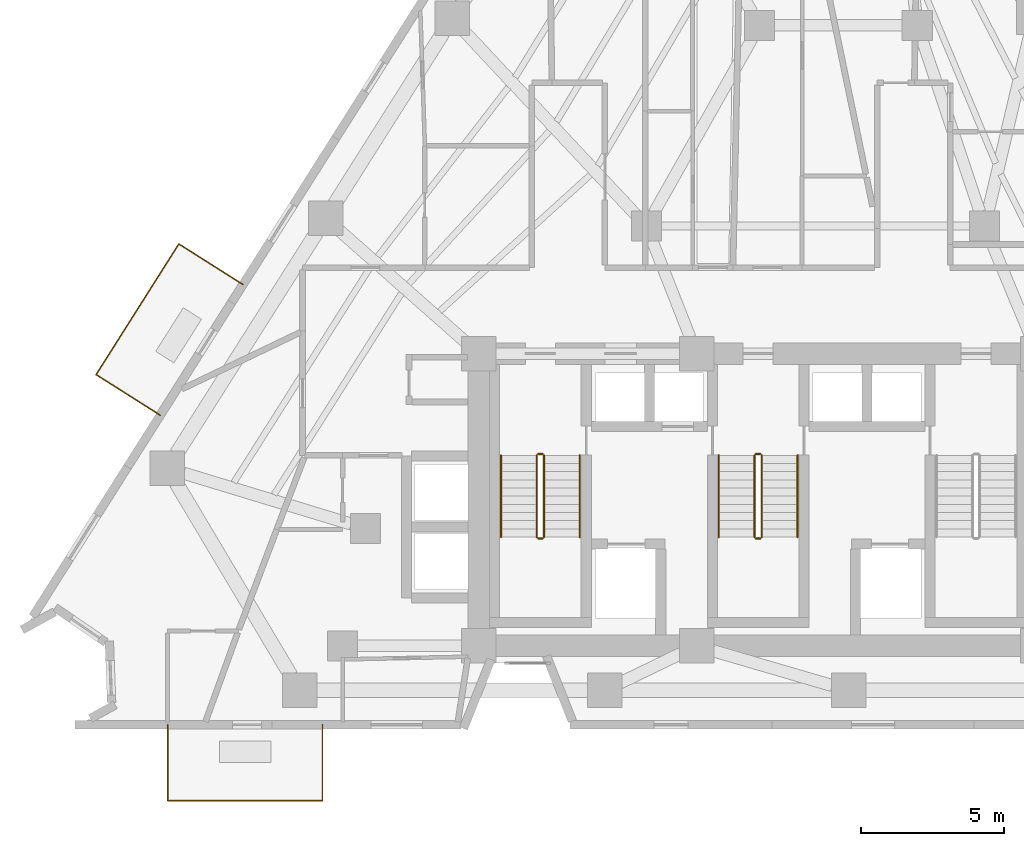
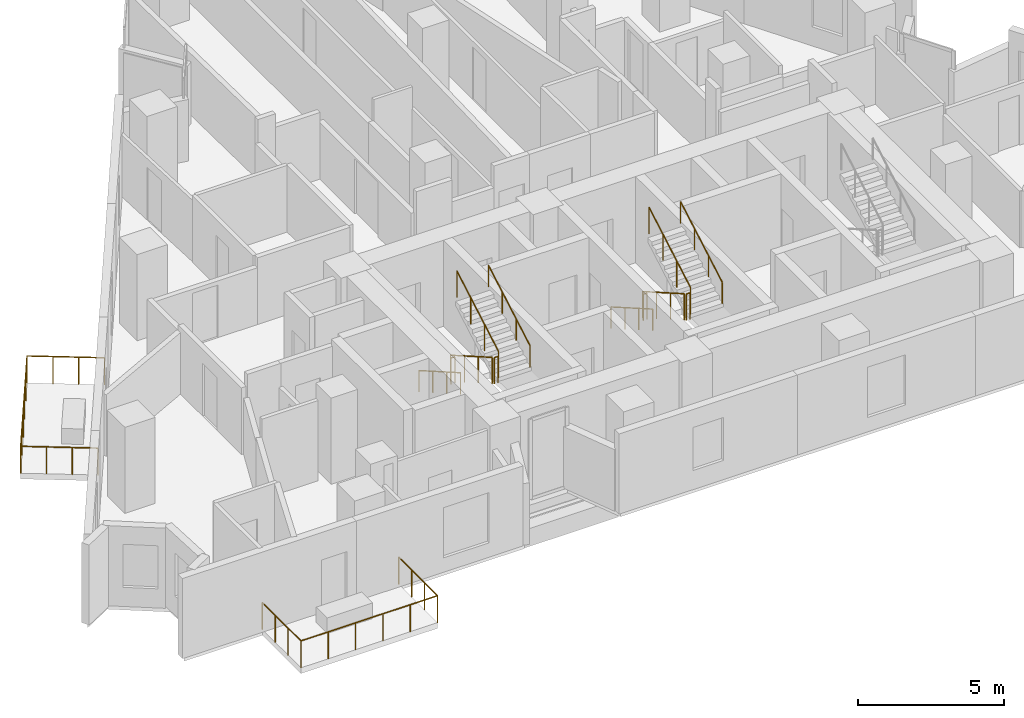
# One storey, part 11 of 12: 14 railings.
"""IFC4 building model written with IfcOpenShell, lengths in metres."""

from ifc_helpers import new_model, si_unit, direction, frame, origin, origin_2d, place, context, subcontext, project, spatial, circle, extrude, material, type_object, element, save


model = new_model("IFC4")

# Units and contexts
model_context = context("Model", 3, precision=1e-05, world=origin(), true_north=direction((0.0, 1.0)))
body_context = subcontext(model_context, "Body", "Model", "MODEL_VIEW")
ifc_project = project(units=[si_unit("LENGTHUNIT", "METRE"), si_unit("AREAUNIT", "SQUARE_METRE"), si_unit("VOLUMEUNIT", "CUBIC_METRE"), si_unit("PLANEANGLEUNIT", "RADIAN"), si_unit("MASSUNIT", "GRAM", prefix="KILO")], contexts=[model_context])

# Site, building, storey
site_placement = place(None, origin())
site = spatial("IfcSite", under=ifc_project, at=site_placement, CompositionType="ELEMENT")
building_placement = place(site_placement, origin())
building = spatial("IfcBuilding", under=site, at=building_placement, Name="Almagre Mirador Tower", CompositionType="ELEMENT")
storey_placement = place(building_placement, frame((0.0, 0.0, 121.199951171875)))
storey = spatial("IfcBuildingStorey", under=building, at=storey_placement, Name="L30", CompositionType="ELEMENT", Elevation=121.199951171875)

# Railings
ifc_material_1 = material(Name="Black anodized aluminium", Category="aluminium")
railing_type_1 = type_object("IfcRailingType", Name="RLG-BAL-1150", PredefinedType="BALUSTRADE", material=ifc_material_1)
railing_1_placement = place(storey_placement, frame((16.699951171875, 1.800048828125, 0.0)))
element("IfcRailing", 1, at=railing_1_placement, inside=storey, type_object=railing_type_1, Name="L30 south balcony balustrade 1", PredefinedType="BALUSTRADE", context=body_context, shape_type="SweptSolid", body=[
    extrude(circle(Radius=0.02392578125, at=origin_2d()), frame((0.0, 0.0, 1.1259765625), z_axis=(0.0, -1.0, 0.0), x_axis=(1.0, 0.0, 0.0)), (0.0, 0.0, 1.0), 2.650146484375),
    extrude(circle(Radius=0.02392578125, at=origin_2d()), frame((0.0, -2.650146484375, 1.1259765625), z_axis=(1.0, 0.0, 0.0), x_axis=(0.0, 1.0, 0.0)), (0.0, 0.0, 1.0), 5.400146484375),
    extrude(circle(Radius=0.02392578125, at=origin_2d()), frame((5.400146484375, -2.650146484375, 1.1259765625), z_axis=(0.0, 1.0, 0.0), x_axis=(-1.0, 0.0, 0.0)), (0.0, 0.0, 1.0), 2.650146484375),
    extrude(circle(Radius=0.02099609375, at=origin_2d()), origin(), (0.0, 0.0, 1.0), 1.101806640625),
    extrude(circle(Radius=0.02099609375, at=origin_2d()), frame((0.0, -0.88330078125, 0.0)), (0.0, 0.0, 1.0), 1.101806640625),
    extrude(circle(Radius=0.02099609375, at=origin_2d()), frame((0.0, -1.766845703125, 0.0)), (0.0, 0.0, 1.0), 1.101806640625),
    extrude(circle(Radius=0.02099609375, at=origin_2d()), frame((0.0, -2.650146484375, 0.0)), (0.0, 0.0, 1.0), 1.101806640625),
    extrude(circle(Radius=0.02099609375, at=origin_2d()), frame((1.080078125, -2.650146484375, 0.0)), (0.0, 0.0, 1.0), 1.101806640625),
    extrude(circle(Radius=0.02099609375, at=origin_2d()), frame((2.16015625, -2.650146484375, 0.0)), (0.0, 0.0, 1.0), 1.101806640625),
    extrude(circle(Radius=0.02099609375, at=origin_2d()), frame((3.239990234375, -2.650146484375, 0.0)), (0.0, 0.0, 1.0), 1.101806640625),
    extrude(circle(Radius=0.02099609375, at=origin_2d()), frame((4.320068359375, -2.650146484375, 0.0)), (0.0, 0.0, 1.0), 1.101806640625),
    extrude(circle(Radius=0.02099609375, at=origin_2d()), frame((5.400146484375, -2.650146484375, 0.0)), (0.0, 0.0, 1.0), 1.101806640625),
    extrude(circle(Radius=0.02099609375, at=origin_2d()), frame((5.400146484375, -1.766845703125, 0.0)), (0.0, 0.0, 1.0), 1.101806640625),
    extrude(circle(Radius=0.02099609375, at=origin_2d()), frame((5.400146484375, -0.88330078125, 0.0)), (0.0, 0.0, 1.0), 1.101806640625),
    extrude(circle(Radius=0.02099609375, at=origin_2d()), frame((5.400146484375, 0.0, 0.0)), (0.0, 0.0, 1.0), 1.101806640625),
])
railing_2_placement = place(storey_placement, frame((19.323974609375, 17.160888671875, 0.0)))
element("IfcRailing", 2, at=railing_2_placement, inside=storey, type_object=railing_type_1, Name="L30 west balcony balustrade 2", PredefinedType="BALUSTRADE", context=body_context, shape_type="SweptSolid", body=[
    extrude(circle(Radius=0.02392578125, at=origin_2d()), frame((0.0, 0.0, 1.1259765625), z_axis=(-0.84478992757, 0.535098101544, 0.0), x_axis=(-0.535098101544, -0.84478992757, 0.0)), (0.0, 0.0, 1.0), 2.650390625),
    extrude(circle(Radius=0.02392578125, at=origin_2d()), frame((-2.239013671875, 1.418212890625, 1.1259765625), z_axis=(-0.534793915892, -0.844982524982, 0.0), x_axis=(0.844982524982, -0.534793915892, 0.0)), (0.0, 0.0, 1.0), 5.400146484375),
    extrude(circle(Radius=0.02392578125, at=origin_2d()), frame((-5.126953125, -3.144775390625, 1.1259765625), z_axis=(0.844998116555, -0.534769280175, 0.0), x_axis=(0.534769280175, 0.844998116555, 0.0)), (0.0, 0.0, 1.0), 2.649658203125),
    extrude(circle(Radius=0.02099609375, at=origin_2d()), origin(), (0.0, 0.0, 1.0), 1.101806640625),
    extrude(circle(Radius=0.02099609375, at=origin_2d()), frame((-0.746337890625, 0.47265625, 0.0)), (0.0, 0.0, 1.0), 1.101806640625),
    extrude(circle(Radius=0.02099609375, at=origin_2d()), frame((-1.49267578125, 0.945556640625, 0.0)), (0.0, 0.0, 1.0), 1.101806640625),
    extrude(circle(Radius=0.02099609375, at=origin_2d()), frame((-2.239013671875, 1.418212890625, 0.0)), (0.0, 0.0, 1.0), 1.101806640625),
    extrude(circle(Radius=0.02099609375, at=origin_2d()), frame((-2.816650390625, 0.505615234375, 0.0)), (0.0, 0.0, 1.0), 1.101806640625),
    extrude(circle(Radius=0.02099609375, at=origin_2d()), frame((-3.394287109375, -0.406982421875, 0.0)), (0.0, 0.0, 1.0), 1.101806640625),
    extrude(circle(Radius=0.02099609375, at=origin_2d()), frame((-3.9716796875, -1.319580078125, 0.0)), (0.0, 0.0, 1.0), 1.101806640625),
    extrude(circle(Radius=0.02099609375, at=origin_2d()), frame((-4.54931640625, -2.232177734375, 0.0)), (0.0, 0.0, 1.0), 1.101806640625),
    extrude(circle(Radius=0.02099609375, at=origin_2d()), frame((-5.126953125, -3.144775390625, 0.0)), (0.0, 0.0, 1.0), 1.101806640625),
    extrude(circle(Radius=0.02099609375, at=origin_2d()), frame((-4.380615234375, -3.6171875, 0.0)), (0.0, 0.0, 1.0), 1.101806640625),
    extrude(circle(Radius=0.02099609375, at=origin_2d()), frame((-3.63427734375, -4.08935546875, 0.0)), (0.0, 0.0, 1.0), 1.101806640625),
    extrude(circle(Radius=0.02099609375, at=origin_2d()), frame((-2.887939453125, -4.561767578125, 0.0)), (0.0, 0.0, 1.0), 1.101806640625),
])
ifc_material_2 = material(Name="Painted galvanized steel", Category="steel")
railing_type_2 = type_object("IfcRailingType", Name="RLG-GRD-1100", PredefinedType="GUARDRAIL", material=ifc_material_2)
railing_3_placement = place(storey_placement, frame((29.574951171875, 11.199951171875, 0.16357421875)))
element("IfcRailing", 3, at=railing_3_placement, inside=storey, type_object=railing_type_2, Name="L30 ST-1 stair guard 1", PredefinedType="GUARDRAIL", context=body_context, shape_type="SweptSolid", body=[
    extrude(circle(Radius=0.02392578125, at=origin_2d()), frame((0.0, 0.0, 1.09619140625), z_axis=(0.0, -0.867194282975, 0.497969954491), x_axis=(1.0, 0.0, 0.0)), (0.0, 0.0, 1.0), 3.286376953125),
    extrude(circle(Radius=0.02099609375, at=origin_2d()), origin(), (0.0, 0.0, 1.0), 1.072021484375),
    extrude(circle(Radius=0.02099609375, at=origin_2d()), frame((0.0, -0.949951171875, 0.54541015625)), (0.0, 0.0, 1.0), 1.072021484375),
    extrude(circle(Radius=0.02099609375, at=origin_2d()), frame((0.0, -1.89990234375, 1.091064453125)), (0.0, 0.0, 1.0), 1.072021484375),
    extrude(circle(Radius=0.02099609375, at=origin_2d()), frame((0.0, -2.849853515625, 1.636474609375)), (0.0, 0.0, 1.0), 1.072021484375),
])
railing_4_placement = place(storey_placement, frame((29.625, 8.300048828125, 1.800048828125)))
element("IfcRailing", 4, at=railing_4_placement, inside=storey, type_object=railing_type_2, Name="L30 ST-1 stair guard 2", PredefinedType="GUARDRAIL", context=body_context, shape_type="SweptSolid", body=[
    extrude(circle(Radius=0.02392578125, at=origin_2d()), frame((0.0, 0.0, 1.09619140625), z_axis=(1.0, 0.0, 0.0), x_axis=(0.0, 1.0, 0.0)), (0.0, 0.0, 1.0), 0.14990234375),
    extrude(circle(Radius=0.02099609375, at=origin_2d()), origin(), (0.0, 0.0, 1.0), 1.072021484375),
    extrude(circle(Radius=0.02099609375, at=origin_2d()), frame((0.14990234375, 0.0, 0.0)), (0.0, 0.0, 1.0), 1.072021484375),
])
railing_5_placement = place(storey_placement, frame((29.824951171875, 8.35009765625, 1.963623046875)))
element("IfcRailing", 5, at=railing_5_placement, inside=storey, type_object=railing_type_2, Name="L30 ST-1 stair guard 3", PredefinedType="GUARDRAIL", context=body_context, shape_type="SweptSolid", body=[
    extrude(circle(Radius=0.02392578125, at=origin_2d()), frame((0.0, 0.0, 1.09619140625), z_axis=(0.0, 0.867194282975, 0.497969954491), x_axis=(-1.0, 0.0, 0.0)), (0.0, 0.0, 1.0), 3.286376953125),
    extrude(circle(Radius=0.02099609375, at=origin_2d()), origin(), (0.0, 0.0, 1.0), 1.072021484375),
    extrude(circle(Radius=0.02099609375, at=origin_2d()), frame((0.0, 0.949951171875, 0.54541015625)), (0.0, 0.0, 1.0), 1.072021484375),
    extrude(circle(Radius=0.02099609375, at=origin_2d()), frame((0.0, 1.89990234375, 1.091064453125)), (0.0, 0.0, 1.0), 1.072021484375),
    extrude(circle(Radius=0.02099609375, at=origin_2d()), frame((0.0, 2.849853515625, 1.636474609375)), (0.0, 0.0, 1.0), 1.072021484375),
])
railing_6_placement = place(storey_placement, frame((29.625, 11.25, 0.0)))
element("IfcRailing", 6, at=railing_6_placement, inside=storey, type_object=railing_type_2, Name="L30 ST-1 stair guard 4", PredefinedType="GUARDRAIL", context=body_context, shape_type="SweptSolid", body=[
    extrude(circle(Radius=0.02392578125, at=origin_2d()), frame((0.0, 0.0, 1.09619140625), z_axis=(1.0, 0.0, 0.0), x_axis=(0.0, 1.0, 0.0)), (0.0, 0.0, 1.0), 0.14990234375),
    extrude(circle(Radius=0.02099609375, at=origin_2d()), origin(), (0.0, 0.0, 1.0), 1.072021484375),
    extrude(circle(Radius=0.02099609375, at=origin_2d()), frame((0.14990234375, 0.0, 0.0)), (0.0, 0.0, 1.0), 1.072021484375),
])
railing_7_placement = place(storey_placement, frame((37.175048828125, 11.199951171875, 0.16357421875)))
element("IfcRailing", 7, at=railing_7_placement, inside=storey, type_object=railing_type_2, Name="L30 ST-2 stair guard 1", PredefinedType="GUARDRAIL", context=body_context, shape_type="SweptSolid", body=[
    extrude(circle(Radius=0.02392578125, at=origin_2d()), frame((0.0, 0.0, 1.09619140625), z_axis=(0.0, -0.867194282975, 0.497969954491), x_axis=(1.0, 0.0, 0.0)), (0.0, 0.0, 1.0), 3.286376953125),
    extrude(circle(Radius=0.02099609375, at=origin_2d()), origin(), (0.0, 0.0, 1.0), 1.072021484375),
    extrude(circle(Radius=0.02099609375, at=origin_2d()), frame((0.0, -0.949951171875, 0.54541015625)), (0.0, 0.0, 1.0), 1.072021484375),
    extrude(circle(Radius=0.02099609375, at=origin_2d()), frame((0.0, -1.89990234375, 1.091064453125)), (0.0, 0.0, 1.0), 1.072021484375),
    extrude(circle(Radius=0.02099609375, at=origin_2d()), frame((0.0, -2.849853515625, 1.636474609375)), (0.0, 0.0, 1.0), 1.072021484375),
])
railing_8_placement = place(storey_placement, frame((37.22509765625, 8.300048828125, 1.800048828125)))
element("IfcRailing", 8, at=railing_8_placement, inside=storey, type_object=railing_type_2, Name="L30 ST-2 stair guard 2", PredefinedType="GUARDRAIL", context=body_context, shape_type="SweptSolid", body=[
    extrude(circle(Radius=0.02392578125, at=origin_2d()), frame((0.0, 0.0, 1.09619140625), z_axis=(1.0, 0.0, 0.0), x_axis=(0.0, 1.0, 0.0)), (0.0, 0.0, 1.0), 0.14990234375),
    extrude(circle(Radius=0.02099609375, at=origin_2d()), origin(), (0.0, 0.0, 1.0), 1.072021484375),
    extrude(circle(Radius=0.02099609375, at=origin_2d()), frame((0.14990234375, 0.0, 0.0)), (0.0, 0.0, 1.0), 1.072021484375),
])
railing_9_placement = place(storey_placement, frame((37.425048828125, 8.35009765625, 1.963623046875)))
element("IfcRailing", 9, at=railing_9_placement, inside=storey, type_object=railing_type_2, Name="L30 ST-2 stair guard 3", PredefinedType="GUARDRAIL", context=body_context, shape_type="SweptSolid", body=[
    extrude(circle(Radius=0.02392578125, at=origin_2d()), frame((0.0, 0.0, 1.09619140625), z_axis=(0.0, 0.867194282975, 0.497969954491), x_axis=(-1.0, 0.0, 0.0)), (0.0, 0.0, 1.0), 3.286376953125),
    extrude(circle(Radius=0.02099609375, at=origin_2d()), origin(), (0.0, 0.0, 1.0), 1.072021484375),
    extrude(circle(Radius=0.02099609375, at=origin_2d()), frame((0.0, 0.949951171875, 0.54541015625)), (0.0, 0.0, 1.0), 1.072021484375),
    extrude(circle(Radius=0.02099609375, at=origin_2d()), frame((0.0, 1.89990234375, 1.091064453125)), (0.0, 0.0, 1.0), 1.072021484375),
    extrude(circle(Radius=0.02099609375, at=origin_2d()), frame((0.0, 2.849853515625, 1.636474609375)), (0.0, 0.0, 1.0), 1.072021484375),
])
railing_10_placement = place(storey_placement, frame((37.22509765625, 11.25, 0.0)))
element("IfcRailing", 10, at=railing_10_placement, inside=storey, type_object=railing_type_2, Name="L30 ST-2 stair guard 4", PredefinedType="GUARDRAIL", context=body_context, shape_type="SweptSolid", body=[
    extrude(circle(Radius=0.02392578125, at=origin_2d()), frame((0.0, 0.0, 1.09619140625), z_axis=(1.0, 0.0, 0.0), x_axis=(0.0, 1.0, 0.0)), (0.0, 0.0, 1.0), 0.14990234375),
    extrude(circle(Radius=0.02099609375, at=origin_2d()), origin(), (0.0, 0.0, 1.0), 1.072021484375),
    extrude(circle(Radius=0.02099609375, at=origin_2d()), frame((0.14990234375, 0.0, 0.0)), (0.0, 0.0, 1.0), 1.072021484375),
])
ifc_material_3 = material(Name="Brushed stainless steel", Category="steel")
railing_type_3 = type_object("IfcRailingType", Name="RLG-HND-915", PredefinedType="HANDRAIL", material=ifc_material_3)
railing_11_placement = place(storey_placement, frame((28.324951171875, 11.199951171875, 0.16357421875)))
element("IfcRailing", 11, at=railing_11_placement, inside=storey, type_object=railing_type_3, Name="L30 ST-1 stair handrail 1", PredefinedType="HANDRAIL", context=body_context, shape_type="SweptSolid", body=[
    extrude(circle(Radius=0.02392578125, at=origin_2d()), frame((0.0, 0.0, 0.89111328125), z_axis=(0.0, -0.867194282975, 0.497969954491), x_axis=(1.0, 0.0, 0.0)), (0.0, 0.0, 1.0), 3.286376953125),
    extrude(circle(Radius=0.02099609375, at=origin_2d()), origin(), (0.0, 0.0, 1.0), 0.866943359375),
    extrude(circle(Radius=0.02099609375, at=origin_2d()), frame((0.0, -0.949951171875, 0.54541015625)), (0.0, 0.0, 1.0), 0.866943359375),
    extrude(circle(Radius=0.02099609375, at=origin_2d()), frame((0.0, -1.89990234375, 1.091064453125)), (0.0, 0.0, 1.0), 0.866943359375),
    extrude(circle(Radius=0.02099609375, at=origin_2d()), frame((0.0, -2.849853515625, 1.636474609375)), (0.0, 0.0, 1.0), 0.866943359375),
])
railing_12_placement = place(storey_placement, frame((31.074951171875, 8.35009765625, 1.963623046875)))
element("IfcRailing", 12, at=railing_12_placement, inside=storey, type_object=railing_type_3, Name="L30 ST-1 stair handrail 2", PredefinedType="HANDRAIL", context=body_context, shape_type="SweptSolid", body=[
    extrude(circle(Radius=0.02392578125, at=origin_2d()), frame((0.0, 0.0, 0.89111328125), z_axis=(0.0, 0.867194282975, 0.497969954491), x_axis=(-1.0, 0.0, 0.0)), (0.0, 0.0, 1.0), 3.286376953125),
    extrude(circle(Radius=0.02099609375, at=origin_2d()), origin(), (0.0, 0.0, 1.0), 0.866943359375),
    extrude(circle(Radius=0.02099609375, at=origin_2d()), frame((0.0, 0.949951171875, 0.54541015625)), (0.0, 0.0, 1.0), 0.866943359375),
    extrude(circle(Radius=0.02099609375, at=origin_2d()), frame((0.0, 1.89990234375, 1.091064453125)), (0.0, 0.0, 1.0), 0.866943359375),
    extrude(circle(Radius=0.02099609375, at=origin_2d()), frame((0.0, 2.849853515625, 1.636474609375)), (0.0, 0.0, 1.0), 0.866943359375),
])
railing_13_placement = place(storey_placement, frame((35.925048828125, 11.199951171875, 0.16357421875)))
element("IfcRailing", 13, at=railing_13_placement, inside=storey, type_object=railing_type_3, Name="L30 ST-2 stair handrail 1", PredefinedType="HANDRAIL", context=body_context, shape_type="SweptSolid", body=[
    extrude(circle(Radius=0.02392578125, at=origin_2d()), frame((0.0, 0.0, 0.89111328125), z_axis=(0.0, -0.867194282975, 0.497969954491), x_axis=(1.0, 0.0, 0.0)), (0.0, 0.0, 1.0), 3.286376953125),
    extrude(circle(Radius=0.02099609375, at=origin_2d()), origin(), (0.0, 0.0, 1.0), 0.866943359375),
    extrude(circle(Radius=0.02099609375, at=origin_2d()), frame((0.0, -0.949951171875, 0.54541015625)), (0.0, 0.0, 1.0), 0.866943359375),
    extrude(circle(Radius=0.02099609375, at=origin_2d()), frame((0.0, -1.89990234375, 1.091064453125)), (0.0, 0.0, 1.0), 0.866943359375),
    extrude(circle(Radius=0.02099609375, at=origin_2d()), frame((0.0, -2.849853515625, 1.636474609375)), (0.0, 0.0, 1.0), 0.866943359375),
])
railing_14_placement = place(storey_placement, frame((38.675048828125, 8.35009765625, 1.963623046875)))
element("IfcRailing", 14, at=railing_14_placement, inside=storey, type_object=railing_type_3, Name="L30 ST-2 stair handrail 2", PredefinedType="HANDRAIL", context=body_context, shape_type="SweptSolid", body=[
    extrude(circle(Radius=0.02392578125, at=origin_2d()), frame((0.0, 0.0, 0.89111328125), z_axis=(0.0, 0.867194282975, 0.497969954491), x_axis=(-1.0, 0.0, 0.0)), (0.0, 0.0, 1.0), 3.286376953125),
    extrude(circle(Radius=0.02099609375, at=origin_2d()), origin(), (0.0, 0.0, 1.0), 0.866943359375),
    extrude(circle(Radius=0.02099609375, at=origin_2d()), frame((0.0, 0.949951171875, 0.54541015625)), (0.0, 0.0, 1.0), 0.866943359375),
    extrude(circle(Radius=0.02099609375, at=origin_2d()), frame((0.0, 1.89990234375, 1.091064453125)), (0.0, 0.0, 1.0), 0.866943359375),
    extrude(circle(Radius=0.02099609375, at=origin_2d()), frame((0.0, 2.849853515625, 1.636474609375)), (0.0, 0.0, 1.0), 0.866943359375),
])

save(model, "model.ifc")
